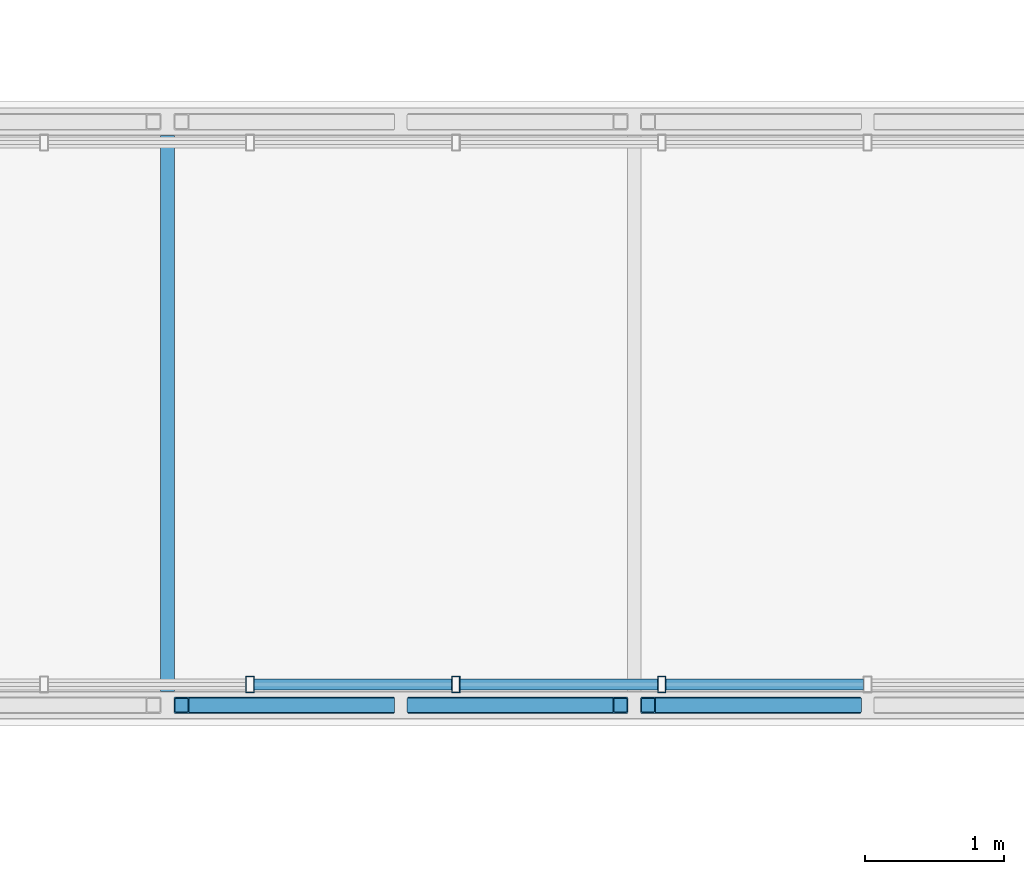
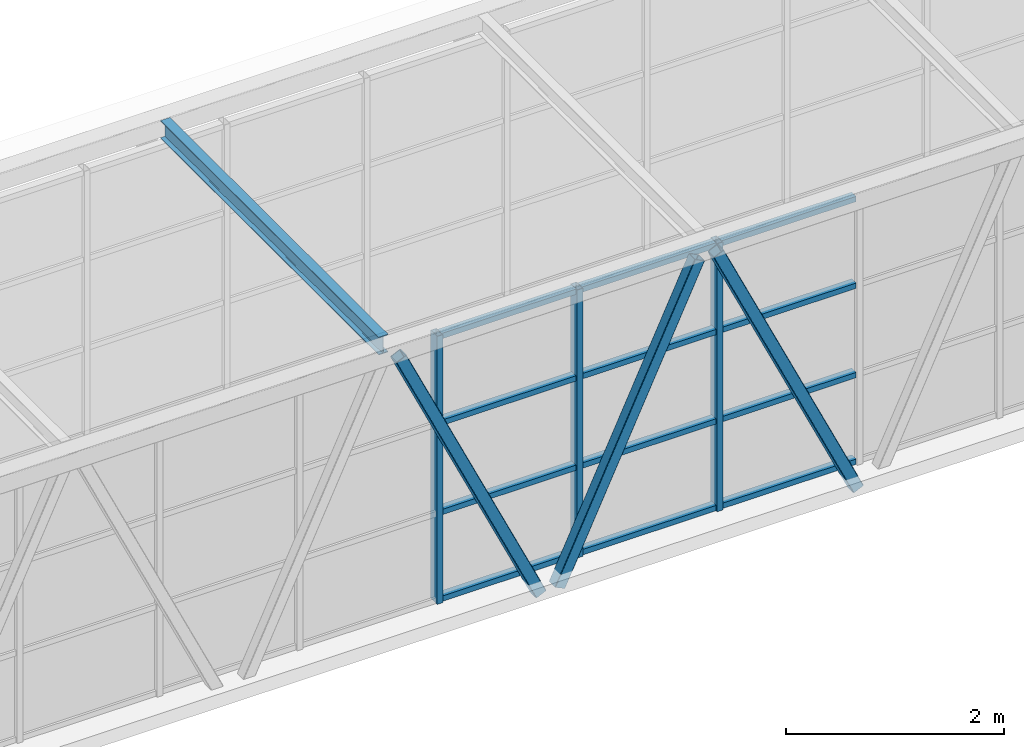
# One storey, part 54 of 149: 18 members, 1 beam, 1 element without a shape of its own.
"""IFC4 building model written with IfcOpenShell, lengths in metres."""

import ifcopenshell
import ifcopenshell.guid

model = None  # the IFC model being written
_history = None  # IfcOwnerHistory: only IFC2X3 demands one
_inside = {}  # id of a spatial element -> (the spatial element, [elements in it])
_under = {}  # id of a project, library or spatial element -> (it, [spatial elements below it])
_declared = {}  # id of a project -> (the project, [libraries it declares])
_typed = {}  # id of a type object -> (the type object, [elements of that type])
_made_of = {}  # id of a material, layer set ... -> (it, [elements and type objects made of it])


def new_model(schema):
    """Start an empty IFC model of exactly this schema.

    Asked for "IFC4X3", IfcOpenShell would pick the latest addendum, in which some entities
    have other attributes; the version numbers below select the first issue.
    IFC2X3 requires an IfcOwnerHistory on every rooted entity: one is made here for all.
    """
    global model, _history
    if schema == "IFC4X3":
        model = ifcopenshell.file(schema_version=(4, 3, 0, 0))
    else:
        model = ifcopenshell.file(schema=schema)
    _inside.clear()
    _under.clear()
    _declared.clear()
    _typed.clear()
    _made_of.clear()
    _history = None
    if model.schema == "IFC2X3":
        org = make("IfcOrganization", Name="unknown")
        user = make(
            "IfcPersonAndOrganization",
            ThePerson=make("IfcPerson", FamilyName="unknown"),
            TheOrganization=org,
        )
        app = make(
            "IfcApplication",
            ApplicationDeveloper=org,
            Version="unknown",
            ApplicationFullName="unknown",
            ApplicationIdentifier="unknown",
        )
        _history = make(
            "IfcOwnerHistory",
            OwningUser=user,
            OwningApplication=app,
            ChangeAction="ADDED",
            CreationDate=0,
        )
    return model


def make(cls, **values):
    """One entity of the class cls with the attributes given. An attribute that is None is left unset."""
    return model.create_entity(
        cls, **{name: value for name, value in values.items() if value is not None}
    )


def rooted(cls, **values):
    """An entity with a GlobalId (a new one), such as an element, a storey or a relation."""
    return make(cls, GlobalId=ifcopenshell.guid.new(), OwnerHistory=_history, **values)


def si_unit(unit_type, name, prefix=None):
    """IfcSIUnit, for example si_unit("LENGTHUNIT", "METRE", prefix="MILLI")."""
    return make("IfcSIUnit", UnitType=unit_type, Prefix=prefix, Name=name)


def assignment(units):
    """IfcUnitAssignment: the units of a project."""
    return None if units is None else make("IfcUnitAssignment", Units=units)


def point(xyz):
    """IfcCartesianPoint."""
    return None if xyz is None else make("IfcCartesianPoint", Coordinates=xyz)


def direction(xyz):
    """IfcDirection."""
    return None if xyz is None else make("IfcDirection", DirectionRatios=xyz)


def frame(location, z_axis=None, x_axis=None):
    """IfcAxis2Placement3D, a coordinate frame: its origin and axes. An axis left out is left unset."""
    return make(
        "IfcAxis2Placement3D",
        Location=point(location),
        Axis=direction(z_axis),
        RefDirection=direction(x_axis),
    )


def frame_2d(location, x_axis=None):
    """IfcAxis2Placement2D, a coordinate frame in the plane: its origin and x axis."""
    return make(
        "IfcAxis2Placement2D", Location=point(location), RefDirection=direction(x_axis)
    )


def origin():
    """The frame at (0, 0, 0) with its axes left unset."""
    return frame((0.0, 0.0, 0.0))


def origin_2d():
    """The frame at (0, 0) in the plane with its x axis left unset."""
    return frame_2d((0.0, 0.0))


def place(relative_to, where):
    """IfcLocalPlacement: puts the frame where relative to a parent placement (None: the world)."""
    return make(
        "IfcLocalPlacement", PlacementRelTo=relative_to, RelativePlacement=where
    )


def context(
    kind, dimensions, precision=None, world=None, true_north=None, identifier=None
):
    """IfcGeometricRepresentationContext, for example the 3D "Model" context."""
    return make(
        "IfcGeometricRepresentationContext",
        ContextIdentifier=identifier,
        ContextType=kind,
        CoordinateSpaceDimension=dimensions,
        Precision=precision,
        WorldCoordinateSystem=world,
        TrueNorth=true_north,
    )


def subcontext(parent, identifier, kind, view, scale=None):
    """IfcGeometricRepresentationSubContext, for example "Body" below "Model"."""
    return make(
        "IfcGeometricRepresentationSubContext",
        ContextIdentifier=identifier,
        ContextType=kind,
        ParentContext=parent,
        TargetScale=scale,
        TargetView=view,
    )


def project(units=None, contexts=None):
    """IfcProject with its units and contexts."""
    return rooted(
        "IfcProject",
        Name="project",
        RepresentationContexts=contexts,
        UnitsInContext=assignment(units),
    )


def spatial(cls, under=None, at=None, **own):
    """A site, building, storey or space (cls), placed at a placement, below another one or the project."""
    s = rooted(cls, ObjectPlacement=at, **own)
    if under is not None:
        _under.setdefault(under.id(), (under, []))[1].append(s)
    return s


def profile(cls, at=None, kind="AREA", **sizes):
    """A parametric profile (cls). Its sizes go by their IFC names, for example OverallWidth=200.0."""
    return make(cls, ProfileType=kind, Position=at, **sizes)


def hollow_rectangle(**sizes):
    """IfcRectangleHollowProfileDef."""
    return profile("IfcRectangleHollowProfileDef", **sizes)


def i_section(**sizes):
    """IfcIShapeProfileDef."""
    return profile("IfcIShapeProfileDef", **sizes)


def extrude(swept, where, along, depth):
    """IfcExtrudedAreaSolid: the profile swept, set in the frame where, extruded along a direction by depth."""
    return make(
        "IfcExtrudedAreaSolid",
        SweptArea=swept,
        Position=where,
        ExtrudedDirection=direction(along),
        Depth=depth,
    )


def shape(context_of_items, identifier, shape_type, items):
    """IfcShapeRepresentation: the items that make up one representation, for example the "Body"."""
    return make(
        "IfcShapeRepresentation",
        ContextOfItems=context_of_items,
        RepresentationIdentifier=identifier,
        RepresentationType=shape_type,
        Items=items,
    )


def material(Name=None, Category=None):
    """IfcMaterial."""
    return make("IfcMaterial", Name=Name, Category=Category)


def material_profile(
    of_material, cross_section, Name=None, Category=None, Priority=None
):
    """IfcMaterialProfile: a cross section and its material."""
    return make(
        "IfcMaterialProfile",
        Name=Name,
        Material=of_material,
        Profile=cross_section,
        Priority=Priority,
        Category=Category,
    )


def profile_set(profiles, Name=None, composite=None):
    """IfcMaterialProfileSet."""
    return make(
        "IfcMaterialProfileSet",
        Name=Name,
        MaterialProfiles=profiles,
        CompositeProfile=composite,
    )


def made_of(thing, what):
    """Note that an element or type object is made of a material, layer set ...; save() writes the relation."""
    if what is not None:
        _made_of.setdefault(what.id(), (what, []))[1].append(thing)
    return thing


def type_object(cls, material=None, **own):
    """A type object (cls), such as IfcWallType, which elements share."""
    return made_of(rooted(cls, **own), material)


def element(
    cls,
    number,
    at=None,
    inside=None,
    cuts=None,
    type_object=None,
    material=None,
    context=None,
    identifier="Body",
    shape_type=None,
    held_by="IfcProductDefinitionShape",
    body=None,
    shapes=None,
    **own,
):
    """One element of the class cls, such as IfcWall. Its Tag is "e" and its number.

    at: its placement. inside: the storey or other place that contains it. cuts: it is an
    opening in that element (IfcRelVoidsElement). A single representation is given by context,
    identifier, shape_type and body (its items); several are given by shapes. held_by: the class
    of the entity that holds the representations. save() writes the other relations.
    """
    e = rooted(cls, Tag="e%d" % number, ObjectPlacement=at, **own)
    if body is not None:
        shapes = [shape(context, identifier, shape_type, body)]
    if shapes is not None:
        e.Representation = make(held_by, Representations=shapes)
    if inside is not None:
        _inside.setdefault(inside.id(), (inside, []))[1].append(e)
    if cuts is not None:
        rooted(
            "IfcRelVoidsElement", RelatingBuildingElement=cuts, RelatedOpeningElement=e
        )
    if type_object is not None:
        _typed.setdefault(type_object.id(), (type_object, []))[1].append(e)
    return made_of(e, material)


def aggregate(whole, parts):
    """IfcRelAggregates: a whole, such as a stair, and the parts it consists of."""
    return rooted("IfcRelAggregates", RelatingObject=whole, RelatedObjects=parts)


def save(model, path):
    """Write the relations noted so far, then the file.

    IfcRelAggregates (storeys below a building ...), IfcRelContainedInSpatialStructure (elements
    in a storey), IfcRelDefinesByType, IfcRelAssociatesMaterial and IfcRelDeclares: one each for
    every whole, place, type object, material and project.
    """
    for whole, parts in _under.values():
        aggregate(whole, parts)
    for where, things in _inside.values():
        rooted(
            "IfcRelContainedInSpatialStructure",
            RelatedElements=things,
            RelatingStructure=where,
        )
    for kind, things in _typed.values():
        rooted("IfcRelDefinesByType", RelatedObjects=things, RelatingType=kind)
    for what, things in _made_of.values():
        rooted("IfcRelAssociatesMaterial", RelatedObjects=things, RelatingMaterial=what)
    for by, libraries in _declared.values():
        rooted("IfcRelDeclares", RelatingContext=by, RelatedDefinitions=libraries)
    model.write(path)


model = new_model("IFC4")

# Units and contexts
model_context = context("Model", 3, precision=1e-05, world=origin(), true_north=direction((0.0, 1.0)))
body_context = subcontext(model_context, "Body", "Model", "MODEL_VIEW")
ifc_project = project(units=[si_unit("LENGTHUNIT", "METRE"), si_unit("AREAUNIT", "SQUARE_METRE"), si_unit("VOLUMEUNIT", "CUBIC_METRE"), si_unit("PLANEANGLEUNIT", "RADIAN"), si_unit("MASSUNIT", "GRAM", prefix="KILO")], contexts=[model_context])

# Site, building, storey
site_placement = place(None, origin())
site = spatial("IfcSite", under=ifc_project, at=site_placement, CompositionType="ELEMENT")
building_placement = place(site_placement, origin())
building = spatial("IfcBuilding", under=site, at=building_placement, Name="Kallimachos Central Library", CompositionType="ELEMENT")
storey_placement = place(building_placement, frame((0.0, 0.0, 9.89990234375)))
storey = spatial("IfcBuildingStorey", under=building, at=storey_placement, Name="L02", CompositionType="ELEMENT", Elevation=9.89990234375)

# Curtain wall, members
ifc_material_1 = material(Name="Aluminium and laminated glass", Category="aluminium")
curtain_wall_type = type_object("IfcCurtainWallType", Name="Link glazed wall", PredefinedType="NOTDEFINED", material=ifc_material_1)
curtain_wall_placement = place(storey_placement, origin())
curtain_wall = element("IfcCurtainWall", 1, at=curtain_wall_placement, inside=storey, type_object=curtain_wall_type, Name="V1 to V3 bridge glazed side", PredefinedType="NOTDEFINED")
ifc_material_2 = material(Name="Anodised aluminium", Category="aluminium")
ifc_material_profile_1 = material_profile(ifc_material_2, hollow_rectangle(XDim=0.06005859375, YDim=0.1201171875, WallThickness=0.00390625, at=origin_2d()), Name="ALU MULLION 60x120")
ifc_profile_set_1 = profile_set([ifc_material_profile_1], Name="Anodised aluminium")
member_type_1 = type_object("IfcMemberType", Name="ALU MULLION 60x120 mullion", PredefinedType="MULLION", material=ifc_profile_set_1)
member_1_placement = place(storey_placement, frame((119.816650390625, 98.550048828125, 0.0), z_axis=(0.0, 0.0, 1.0), x_axis=(1.0, 0.0, 0.0)))
member_1 = element("IfcMember", 2, at=member_1_placement, type_object=member_type_1, Name="CW74 mullion 7", PredefinedType="MULLION", context=body_context, shape_type="SweptSolid", body=[
    extrude(hollow_rectangle(XDim=0.06005859375, YDim=0.1201171875, WallThickness=0.00390625, at=origin_2d()), origin(), (0.0, 0.0, 1.0), 3.0),
])
member_2_placement = place(storey_placement, frame((121.298583984375, 98.550048828125, 0.0), z_axis=(0.0, 0.0, 1.0), x_axis=(1.0, 0.0, 0.0)))
member_2 = element("IfcMember", 3, at=member_2_placement, type_object=member_type_1, Name="CW74 mullion 8", PredefinedType="MULLION", context=body_context, shape_type="SweptSolid", body=[
    extrude(hollow_rectangle(XDim=0.06005859375, YDim=0.1201171875, WallThickness=0.00390625, at=origin_2d()), origin(), (0.0, 0.0, 1.0), 3.0),
])
member_3_placement = place(storey_placement, frame((122.780517578125, 98.550048828125, 0.0), z_axis=(0.0, 0.0, 1.0), x_axis=(1.0, 0.0, 0.0)))
member_3 = element("IfcMember", 4, at=member_3_placement, type_object=member_type_1, Name="CW74 mullion 9", PredefinedType="MULLION", context=body_context, shape_type="SweptSolid", body=[
    extrude(hollow_rectangle(XDim=0.06005859375, YDim=0.1201171875, WallThickness=0.00390625, at=origin_2d()), origin(), (0.0, 0.0, 1.0), 3.0),
])
ifc_material_3 = material(Name="Anodised aluminium", Category="aluminium")
ifc_material_profile_2 = material_profile(ifc_material_3, hollow_rectangle(XDim=0.06005859375, YDim=0.080078125, WallThickness=0.00390625, at=origin_2d()), Name="ALU TRANSOM 60x80")
ifc_profile_set_2 = profile_set([ifc_material_profile_2], Name="Anodised aluminium")
member_type_2 = type_object("IfcMemberType", Name="ALU TRANSOM 60x80 transom", PredefinedType="USERDEFINED", material=ifc_profile_set_2)
member_4_placement = place(storey_placement, frame((119.8466796875, 98.550048828125, 0.030029296875), z_axis=(1.0, 0.0, 0.0), x_axis=(0.0, 0.0, 1.0)))
member_4 = element("IfcMember", 5, at=member_4_placement, type_object=member_type_2, Name="CW74 transom 7.1", ObjectType="TRANSOM", PredefinedType="USERDEFINED", context=body_context, shape_type="SweptSolid", body=[
    extrude(hollow_rectangle(XDim=0.06005859375, YDim=0.080078125, WallThickness=0.00390625, at=origin_2d()), origin(), (0.0, 0.0, 1.0), 1.421875),
])
member_5_placement = place(storey_placement, frame((119.8466796875, 98.550048828125, 1.0), z_axis=(1.0, 0.0, 0.0), x_axis=(0.0, 0.0, 1.0)))
member_5 = element("IfcMember", 6, at=member_5_placement, type_object=member_type_2, Name="CW74 transom 7.2", ObjectType="TRANSOM", PredefinedType="USERDEFINED", context=body_context, shape_type="SweptSolid", body=[
    extrude(hollow_rectangle(XDim=0.06005859375, YDim=0.080078125, WallThickness=0.00390625, at=origin_2d()), origin(), (0.0, 0.0, 1.0), 1.421875),
])
member_6_placement = place(storey_placement, frame((119.8466796875, 98.550048828125, 2.0), z_axis=(1.0, 0.0, 0.0), x_axis=(0.0, 0.0, 1.0)))
member_6 = element("IfcMember", 7, at=member_6_placement, type_object=member_type_2, Name="CW74 transom 7.3", ObjectType="TRANSOM", PredefinedType="USERDEFINED", context=body_context, shape_type="SweptSolid", body=[
    extrude(hollow_rectangle(XDim=0.06005859375, YDim=0.080078125, WallThickness=0.00390625, at=origin_2d()), origin(), (0.0, 0.0, 1.0), 1.421875),
])
member_7_placement = place(storey_placement, frame((119.8466796875, 98.550048828125, 2.97021484375), z_axis=(1.0, 0.0, 0.0), x_axis=(0.0, 0.0, 1.0)))
member_7 = element("IfcMember", 8, at=member_7_placement, type_object=member_type_2, Name="CW74 transom 7.4", ObjectType="TRANSOM", PredefinedType="USERDEFINED", context=body_context, shape_type="SweptSolid", body=[
    extrude(hollow_rectangle(XDim=0.06005859375, YDim=0.080078125, WallThickness=0.00390625, at=origin_2d()), origin(), (0.0, 0.0, 1.0), 1.421875),
])
member_8_placement = place(storey_placement, frame((121.32861328125, 98.550048828125, 0.030029296875), z_axis=(1.0, 0.0, 0.0), x_axis=(0.0, 0.0, 1.0)))
member_8 = element("IfcMember", 9, at=member_8_placement, type_object=member_type_2, Name="CW74 transom 8.1", ObjectType="TRANSOM", PredefinedType="USERDEFINED", context=body_context, shape_type="SweptSolid", body=[
    extrude(hollow_rectangle(XDim=0.06005859375, YDim=0.080078125, WallThickness=0.00390625, at=origin_2d()), origin(), (0.0, 0.0, 1.0), 1.421875),
])
member_9_placement = place(storey_placement, frame((121.32861328125, 98.550048828125, 1.0), z_axis=(1.0, 0.0, 0.0), x_axis=(0.0, 0.0, 1.0)))
member_9 = element("IfcMember", 10, at=member_9_placement, type_object=member_type_2, Name="CW74 transom 8.2", ObjectType="TRANSOM", PredefinedType="USERDEFINED", context=body_context, shape_type="SweptSolid", body=[
    extrude(hollow_rectangle(XDim=0.06005859375, YDim=0.080078125, WallThickness=0.00390625, at=origin_2d()), origin(), (0.0, 0.0, 1.0), 1.421875),
])
member_10_placement = place(storey_placement, frame((121.32861328125, 98.550048828125, 2.0), z_axis=(1.0, 0.0, 0.0), x_axis=(0.0, 0.0, 1.0)))
member_10 = element("IfcMember", 11, at=member_10_placement, type_object=member_type_2, Name="CW74 transom 8.3", ObjectType="TRANSOM", PredefinedType="USERDEFINED", context=body_context, shape_type="SweptSolid", body=[
    extrude(hollow_rectangle(XDim=0.06005859375, YDim=0.080078125, WallThickness=0.00390625, at=origin_2d()), origin(), (0.0, 0.0, 1.0), 1.421875),
])
member_11_placement = place(storey_placement, frame((121.32861328125, 98.550048828125, 2.97021484375), z_axis=(1.0, 0.0, 0.0), x_axis=(0.0, 0.0, 1.0)))
member_11 = element("IfcMember", 12, at=member_11_placement, type_object=member_type_2, Name="CW74 transom 8.4", ObjectType="TRANSOM", PredefinedType="USERDEFINED", context=body_context, shape_type="SweptSolid", body=[
    extrude(hollow_rectangle(XDim=0.06005859375, YDim=0.080078125, WallThickness=0.00390625, at=origin_2d()), origin(), (0.0, 0.0, 1.0), 1.421875),
])
member_12_placement = place(storey_placement, frame((122.810546875, 98.550048828125, 0.030029296875), z_axis=(1.0, 0.0, 0.0), x_axis=(0.0, 0.0, 1.0)))
member_12 = element("IfcMember", 13, at=member_12_placement, type_object=member_type_2, Name="CW74 transom 9.1", ObjectType="TRANSOM", PredefinedType="USERDEFINED", context=body_context, shape_type="SweptSolid", body=[
    extrude(hollow_rectangle(XDim=0.06005859375, YDim=0.080078125, WallThickness=0.00390625, at=origin_2d()), origin(), (0.0, 0.0, 1.0), 1.421875),
])
member_13_placement = place(storey_placement, frame((122.810546875, 98.550048828125, 1.0), z_axis=(1.0, 0.0, 0.0), x_axis=(0.0, 0.0, 1.0)))
member_13 = element("IfcMember", 14, at=member_13_placement, type_object=member_type_2, Name="CW74 transom 9.2", ObjectType="TRANSOM", PredefinedType="USERDEFINED", context=body_context, shape_type="SweptSolid", body=[
    extrude(hollow_rectangle(XDim=0.06005859375, YDim=0.080078125, WallThickness=0.00390625, at=origin_2d()), origin(), (0.0, 0.0, 1.0), 1.421875),
])
member_14_placement = place(storey_placement, frame((122.810546875, 98.550048828125, 2.0), z_axis=(1.0, 0.0, 0.0), x_axis=(0.0, 0.0, 1.0)))
member_14 = element("IfcMember", 15, at=member_14_placement, type_object=member_type_2, Name="CW74 transom 9.3", ObjectType="TRANSOM", PredefinedType="USERDEFINED", context=body_context, shape_type="SweptSolid", body=[
    extrude(hollow_rectangle(XDim=0.06005859375, YDim=0.080078125, WallThickness=0.00390625, at=origin_2d()), origin(), (0.0, 0.0, 1.0), 1.421875),
])
member_15_placement = place(storey_placement, frame((122.810546875, 98.550048828125, 2.97021484375), z_axis=(1.0, 0.0, 0.0), x_axis=(0.0, 0.0, 1.0)))
member_15 = element("IfcMember", 16, at=member_15_placement, type_object=member_type_2, Name="CW74 transom 9.4", ObjectType="TRANSOM", PredefinedType="USERDEFINED", context=body_context, shape_type="SweptSolid", body=[
    extrude(hollow_rectangle(XDim=0.06005859375, YDim=0.080078125, WallThickness=0.00390625, at=origin_2d()), origin(), (0.0, 0.0, 1.0), 1.421875),
])
aggregate(curtain_wall, [member_1, member_2, member_3, member_4, member_5, member_6, member_7, member_8, member_9, member_10, member_11, member_12, member_13, member_14, member_15])

# Beam
ifc_material_4 = material(Name="Steel S355J2", Category="steel")
ifc_material_profile_3 = material_profile(ifc_material_4, i_section(OverallWidth=0.10009765625, OverallDepth=0.199951171875, WebThickness=0.005615234375, FlangeThickness=0.008544921875, FilletRadius=0.011962890625, at=origin_2d()), Name="IPE 200")
ifc_profile_set_3 = profile_set([ifc_material_profile_3], Name="Steel S355J2")
beam_type = type_object("IfcBeamType", Name="IPE 200 beam", PredefinedType="BEAM", material=ifc_profile_set_3)
beam_placement = place(storey_placement, frame((119.223388671875, 98.5, 3.10009765625), z_axis=(0.0, 1.0, 0.0), x_axis=(-1.0, 0.0, 0.0)))
element("IfcBeam", 17, at=beam_placement, inside=storey, type_object=beam_type, Name="B-E roof cross beam", PredefinedType="BEAM", context=body_context, shape_type="SweptSolid", body=[
    extrude(i_section(OverallWidth=0.10009765625, OverallDepth=0.199951171875, WebThickness=0.005615234375, FlangeThickness=0.008544921875, FilletRadius=0.011962890625, at=origin_2d()), origin(), (0.0, 0.0, 1.0), 4.0),
])

# Members
ifc_material_5 = material(Name="Steel S355J2H", Category="steel")
ifc_material_profile_4 = material_profile(ifc_material_5, hollow_rectangle(XDim=0.1201171875, YDim=0.1201171875, WallThickness=0.008056640625, InnerFilletRadius=0.008056640625, OuterFilletRadius=0.011962890625, at=origin_2d()), Name="SHS 120x120x8")
ifc_profile_set_4 = profile_set([ifc_material_profile_4], Name="Steel S355J2H")
member_type_3 = type_object("IfcMemberType", Name="SHS 120x120x8 web", PredefinedType="BRACE", material=ifc_profile_set_4)
for number, where, z_axis, x_axis, name in (
    (18, (119.323486328125, 98.39990234375, 3.0), (0.425192201844, 0.0, -0.905103083351), (0.0, 1.0, 0.0), "links-MEM-L02-041"),
    (19, (121.003173828125, 98.39990234375, -0.14990234375), (0.425192201844, 0.0, 0.905103083351), (0.0, 1.0, 0.0), "links-MEM-L02-042"),
    (20, (122.682861328125, 98.39990234375, 3.0), (0.425192201844, 0.0, -0.905103083351), (0.0, 1.0, 0.0), "links-MEM-L02-043"),
):
    element("IfcMember", number, at=place(storey_placement, frame(where, z_axis=z_axis, x_axis=x_axis)), inside=storey, type_object=member_type_3, Name=name, PredefinedType="BRACE", context=body_context, shape_type="SweptSolid", body=[
        extrude(hollow_rectangle(XDim=0.1201171875, YDim=0.1201171875, WallThickness=0.008056640625, InnerFilletRadius=0.008056640625, OuterFilletRadius=0.011962890625, at=origin_2d()), origin(), (0.0, 0.0, 1.0), 3.480224609375),
    ])

save(model, "model.ifc")
